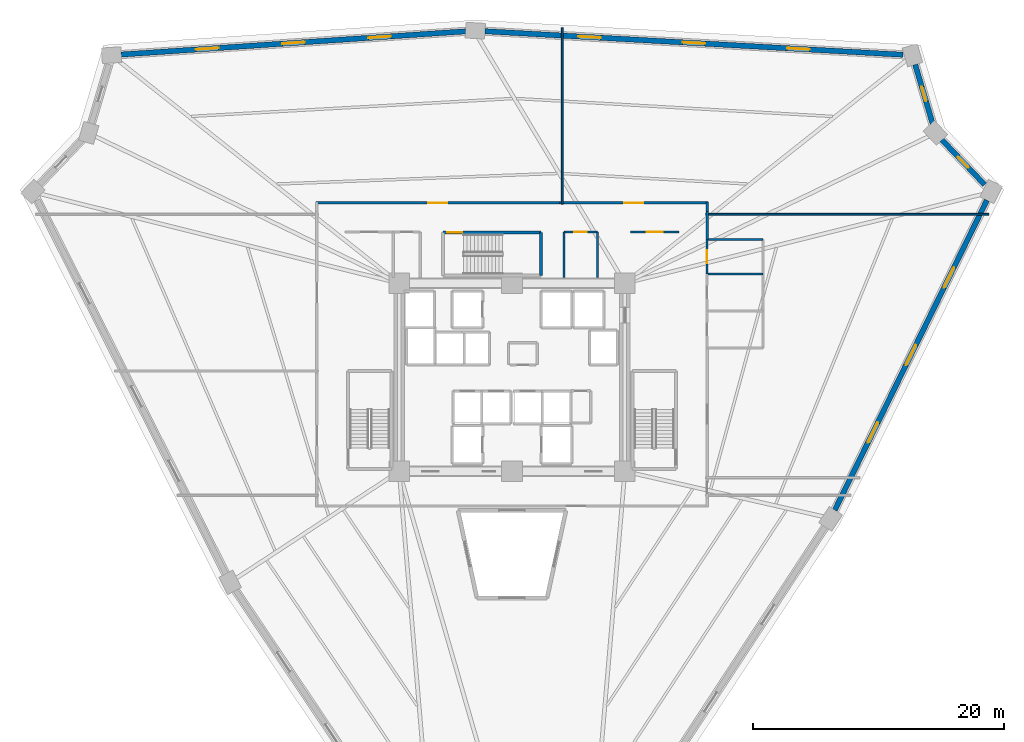
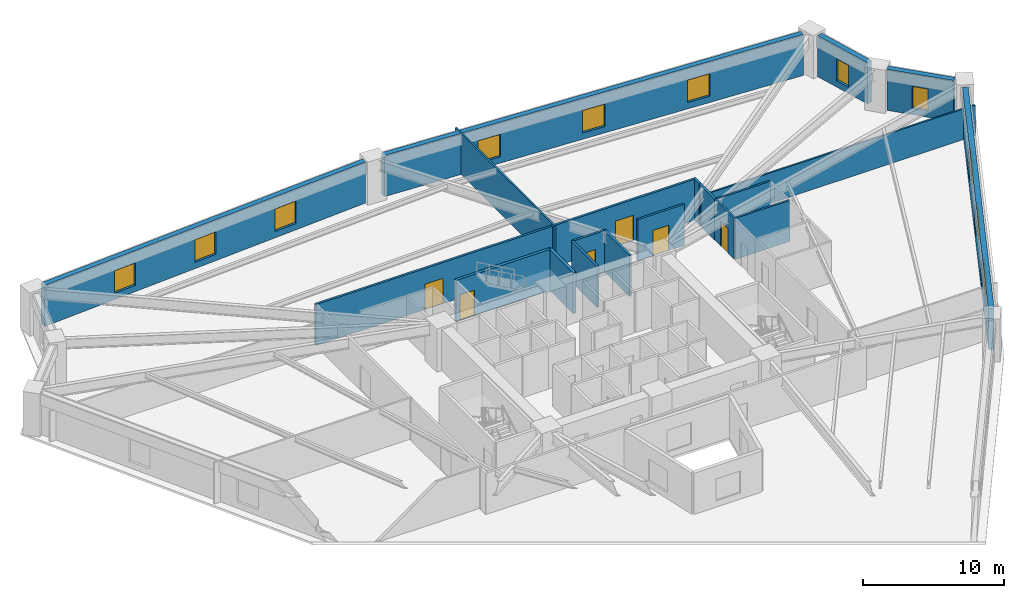
# One storey, part 6 of 8: 20 walls, 11 windows, 6 doors, 17 openings.
"""IFC4 building model written with IfcOpenShell, lengths in metres."""

from ifc_helpers import new_model, si_unit, direction, frame, frame_2d, origin, place, context, subcontext, project, spatial, rectangle, extrude, source, transform, mapped, material, layer, layer_set, type_object, element, fill, save


model = new_model("IFC4")

# Units and contexts
model_context = context("Model", 3, precision=1e-05, world=origin(), true_north=direction((0.0, 1.0)))
body_context = subcontext(model_context, "Body", "Model", "MODEL_VIEW")
ifc_project = project(units=[si_unit("LENGTHUNIT", "METRE"), si_unit("AREAUNIT", "SQUARE_METRE"), si_unit("VOLUMEUNIT", "CUBIC_METRE"), si_unit("PLANEANGLEUNIT", "RADIAN"), si_unit("MASSUNIT", "GRAM", prefix="KILO")], contexts=[model_context])

# Site, building, storey
site_placement = place(None, origin())
site = spatial("IfcSite", under=ifc_project, at=site_placement, CompositionType="ELEMENT")
building_placement = place(site_placement, origin())
building = spatial("IfcBuilding", under=site, at=building_placement, Name="Liaohun Quay Tower", CompositionType="ELEMENT")
storey_placement = place(building_placement, frame((0.0, 0.0, 70.5)))
storey = spatial("IfcBuildingStorey", under=building, at=storey_placement, Name="L18", CompositionType="ELEMENT", Elevation=70.5)

# Wall, openings, windows
ifc_material_1 = material(Name="Precast concrete C50 insulated sandwich", Category="concrete")
ifc_layer_1 = layer(ifc_material_1, 0.419921875, Name="Precast concrete C50 insulated sandwich", Category="concrete")
ifc_layer_set_1 = layer_set([ifc_layer_1], Name="Precast concrete C50 insulated sandwich")
wall_type_1 = type_object("IfcWallType", Name="WAL-EXT-Z12", PredefinedType="SOLIDWALL", material=ifc_layer_set_1)
wall_1_placement = place(storey_placement, frame((85.738037109375, 43.403076171875, 0.0), z_axis=(0.0, 0.0, 1.0), x_axis=(0.440623312768, 0.897692094343, 0.0)))
wall_1 = element("IfcWall", 1, at=wall_1_placement, inside=storey, type_object=wall_type_1, Name="L18 Brutalist Precast Pier Wall 03", PredefinedType="SOLIDWALL", context=body_context, shape_type="SweptSolid", body=[
    extrude(rectangle(XDim=27.538330078125, YDim=0.419921875, at=frame_2d((13.76904296875, 0.0))), origin(), (0.0, 0.0, 1.0), 3.570068359375),
])
shared_shape_1 = source(origin(), body_context, "Body", "SweptSolid", [
    extrude(rectangle(XDim=1.800048828125, YDim=1.949951171875, at=frame_2d((0.89990234375, 0.97509765625))), frame((0.0, 0.219970703125, 0.0), z_axis=(0.0, -1.0, 0.0), x_axis=(1.0, 0.0, 0.0)), (0.0, 0.0, 1.0), 0.43994140625),
])
opening_1_placement = place(wall_1_placement, frame((5.985107421875, 0.0, 0.550048828125)))
opening_1 = element("IfcOpeningElement", 2, at=opening_1_placement, cuts=wall_1, Name="Opening W01", PredefinedType="OPENING", context=body_context, shape_type="MappedRepresentation", body=[
    mapped(shared_shape_1, transform((0.0, 0.0, 0.0), x_axis=(1.0, 0.0, 0.0), y_axis=(0.0, 1.0, 0.0), z_axis=(0.0, 0.0, 1.0), scale=1.0)),
])
opening_2_placement = place(wall_1_placement, frame((12.868896484375, 0.0, 0.550048828125)))
opening_2 = element("IfcOpeningElement", 3, at=opening_2_placement, cuts=wall_1, Name="Opening W01", PredefinedType="OPENING", context=body_context, shape_type="MappedRepresentation", body=[
    mapped(shared_shape_1, transform((0.0, 0.0, 0.0), x_axis=(1.0, 0.0, 0.0), y_axis=(0.0, 1.0, 0.0), z_axis=(0.0, 0.0, 1.0), scale=1.0)),
])
opening_3_placement = place(wall_1_placement, frame((19.75390625, 0.0, 0.550048828125)))
opening_3 = element("IfcOpeningElement", 4, at=opening_3_placement, cuts=wall_1, Name="Opening W01", PredefinedType="OPENING", context=body_context, shape_type="MappedRepresentation", body=[
    mapped(shared_shape_1, transform((0.0, 0.0, 0.0), x_axis=(1.0, 0.0, 0.0), y_axis=(0.0, 1.0, 0.0), z_axis=(0.0, 0.0, 1.0), scale=1.0)),
])
ifc_material_2 = material(Name="Triple Low-E argon glazing in thermally broken aluminium", Category="aluminium")
window_type_1 = type_object("IfcWindowType", Name="WIN-PUN-Z1", PartitioningType="DOUBLE_PANEL_VERTICAL", PredefinedType="WINDOW", material=ifc_material_2)
shared_shape_2 = source(origin(), body_context, "Body", "SweptSolid", [
    extrude(rectangle(XDim=1.800048828125, YDim=1.949951171875, at=frame_2d((0.89990234375, 0.97509765625))), frame((0.0, 0.030029296875, 0.0), z_axis=(0.0, -1.0, 0.0), x_axis=(1.0, 0.0, 0.0)), (0.0, 0.0, 1.0), 0.06005859375),
])
window_1_placement = place(opening_1_placement, origin())
window_1 = element("IfcWindow", 5, at=window_1_placement, inside=storey, type_object=window_type_1, Name="L18 Recessed Cold-Climate Punched Window 03-1", OverallHeight=1.949951171875, OverallWidth=1.800048828125, PartitioningType="DOUBLE_PANEL_VERTICAL", PredefinedType="WINDOW", context=body_context, shape_type="MappedRepresentation", body=[
    mapped(shared_shape_2, transform((0.0, 0.0, 0.0), x_axis=(1.0, 0.0, 0.0), y_axis=(0.0, 1.0, 0.0), z_axis=(0.0, 0.0, 1.0), scale=1.0)),
])
fill(opening_1, window_1)
window_2_placement = place(opening_2_placement, origin())
window_2 = element("IfcWindow", 6, at=window_2_placement, inside=storey, type_object=window_type_1, Name="L18 Recessed Cold-Climate Punched Window 03-2", OverallHeight=1.949951171875, OverallWidth=1.800048828125, PartitioningType="DOUBLE_PANEL_VERTICAL", PredefinedType="WINDOW", context=body_context, shape_type="MappedRepresentation", body=[
    mapped(shared_shape_2, transform((0.0, 0.0, 0.0), x_axis=(1.0, 0.0, 0.0), y_axis=(0.0, 1.0, 0.0), z_axis=(0.0, 0.0, 1.0), scale=1.0)),
])
fill(opening_2, window_2)
window_3_placement = place(opening_3_placement, origin())
window_3 = element("IfcWindow", 7, at=window_3_placement, inside=storey, type_object=window_type_1, Name="L18 Recessed Cold-Climate Punched Window 03-3", OverallHeight=1.949951171875, OverallWidth=1.800048828125, PartitioningType="DOUBLE_PANEL_VERTICAL", PredefinedType="WINDOW", context=body_context, shape_type="MappedRepresentation", body=[
    mapped(shared_shape_2, transform((0.0, 0.0, 0.0), x_axis=(1.0, 0.0, 0.0), y_axis=(0.0, 1.0, 0.0), z_axis=(0.0, 0.0, 1.0), scale=1.0)),
])
fill(opening_3, window_3)

# Wall, opening, window
wall_2_placement = place(storey_placement, frame((97.681884765625, 69.364990234375, 0.0), z_axis=(0.0, 0.0, 1.0), x_axis=(-0.689227085511, 0.724545391675, 0.0)))
wall_2 = element("IfcWall", 8, at=wall_2_placement, inside=storey, type_object=wall_type_1, Name="L18 Brutalist Precast Pier Wall 04", PredefinedType="SOLIDWALL", context=body_context, shape_type="SweptSolid", body=[
    extrude(rectangle(XDim=4.9287109375, YDim=0.419921875, at=frame_2d((2.46435546875, 0.0))), origin(), (0.0, 0.0, 1.0), 3.570068359375),
])
shared_shape_3 = source(origin(), body_context, "Body", "SweptSolid", [
    extrude(rectangle(XDim=1.199951171875, YDim=1.89990234375, at=frame_2d((0.60009765625, 0.949951171875))), frame((0.0, 0.219970703125, 0.0), z_axis=(0.0, -1.0, 0.0), x_axis=(1.0, 0.0, 0.0)), (0.0, 0.0, 1.0), 0.43994140625),
])
opening_4_placement = place(wall_2_placement, frame((1.864013671875, 0.0, 0.550048828125)))
opening_4 = element("IfcOpeningElement", 9, at=opening_4_placement, cuts=wall_2, Name="Opening W05", PredefinedType="OPENING", context=body_context, shape_type="MappedRepresentation", body=[
    mapped(shared_shape_3, transform((0.0, 0.0, 0.0), x_axis=(1.0, 0.0, 0.0), y_axis=(0.0, 1.0, 0.0), z_axis=(0.0, 0.0, 1.0), scale=1.0)),
])
ifc_material_3 = material(Name="Triple Low-E corner notch glazing", Category="glass")
window_type_2 = type_object("IfcWindowType", Name="WIN-NOTCH", PartitioningType="SINGLE_PANEL", PredefinedType="WINDOW", material=ifc_material_3)
shared_shape_4 = source(origin(), body_context, "Body", "SweptSolid", [
    extrude(rectangle(XDim=1.199951171875, YDim=1.89990234375, at=frame_2d((0.60009765625, 0.949951171875))), frame((0.0, 0.030029296875, 0.0), z_axis=(0.0, -1.0, 0.0), x_axis=(1.0, 0.0, 0.0)), (0.0, 0.0, 1.0), 0.06005859375),
])
window_4_placement = place(opening_4_placement, origin())
window_4 = element("IfcWindow", 10, at=window_4_placement, inside=storey, type_object=window_type_2, Name="L18 Corner Notch Window W05-04", OverallHeight=1.89990234375, OverallWidth=1.199951171875, PartitioningType="SINGLE_PANEL", PredefinedType="WINDOW", context=body_context, shape_type="MappedRepresentation", body=[
    mapped(shared_shape_4, transform((0.0, 0.0, 0.0), x_axis=(1.0, 0.0, 0.0), y_axis=(0.0, 1.0, 0.0), z_axis=(0.0, 0.0, 1.0), scale=1.0)),
])
fill(opening_4, window_4)

wall_3_placement = place(storey_placement, frame((93.5419921875, 74.22412109375, 0.0), z_axis=(0.0, 0.0, 1.0), x_axis=(-0.282888780921, 0.959152718616, 0.0)))
wall_3 = element("IfcWall", 11, at=wall_3_placement, inside=storey, type_object=wall_type_1, Name="L18 Brutalist Precast Pier Wall 05", PredefinedType="SOLIDWALL", context=body_context, shape_type="SweptSolid", body=[
    extrude(rectangle(XDim=4.9208984375, YDim=0.419921875, at=frame_2d((2.46044921875, 0.0))), origin(), (0.0, 0.0, 1.0), 3.570068359375),
])
opening_5_placement = place(wall_3_placement, frame((1.860107421875, 0.0, 0.550048828125)))
opening_5 = element("IfcOpeningElement", 12, at=opening_5_placement, cuts=wall_3, Name="Opening W05", PredefinedType="OPENING", context=body_context, shape_type="MappedRepresentation", body=[
    mapped(shared_shape_3, transform((0.0, 0.0, 0.0), x_axis=(1.0, 0.0, 0.0), y_axis=(0.0, 1.0, 0.0), z_axis=(0.0, 0.0, 1.0), scale=1.0)),
])
window_5_placement = place(opening_5_placement, origin())
window_5 = element("IfcWindow", 13, at=window_5_placement, inside=storey, type_object=window_type_2, Name="L18 Corner Notch Window W05-05", OverallHeight=1.89990234375, OverallWidth=1.199951171875, PartitioningType="SINGLE_PANEL", PredefinedType="WINDOW", context=body_context, shape_type="MappedRepresentation", body=[
    mapped(shared_shape_4, transform((0.0, 0.0, 0.0), x_axis=(1.0, 0.0, 0.0), y_axis=(0.0, 1.0, 0.0), z_axis=(0.0, 0.0, 1.0), scale=1.0)),
])
fill(opening_5, window_5)

# Wall, openings, windows
wall_4_placement = place(storey_placement, frame((91.169921875, 79.720947265625, 0.0), z_axis=(0.0, 0.0, 1.0), x_axis=(-0.998420041746, 0.056190926675, 0.0)))
wall_4 = element("IfcWall", 14, at=wall_4_placement, inside=storey, type_object=wall_type_1, Name="L18 Brutalist Precast Pier Wall 06", PredefinedType="SOLIDWALL", context=body_context, shape_type="SweptSolid", body=[
    extrude(rectangle(XDim=33.3857421875, YDim=0.419921875, at=frame_2d((16.69287109375, 0.0))), origin(), (0.0, 0.0, 1.0), 3.570068359375),
])
opening_6_placement = place(wall_4_placement, frame((7.446044921875, 0.0, 0.550048828125)))
opening_6 = element("IfcOpeningElement", 15, at=opening_6_placement, cuts=wall_4, Name="Opening W01", PredefinedType="OPENING", context=body_context, shape_type="MappedRepresentation", body=[
    mapped(shared_shape_1, transform((0.0, 0.0, 0.0), x_axis=(1.0, 0.0, 0.0), y_axis=(0.0, 1.0, 0.0), z_axis=(0.0, 0.0, 1.0), scale=1.0)),
])
opening_7_placement = place(wall_4_placement, frame((15.79296875, 0.0, 0.550048828125)))
opening_7 = element("IfcOpeningElement", 16, at=opening_7_placement, cuts=wall_4, Name="Opening W01", PredefinedType="OPENING", context=body_context, shape_type="MappedRepresentation", body=[
    mapped(shared_shape_1, transform((0.0, 0.0, 0.0), x_axis=(1.0, 0.0, 0.0), y_axis=(0.0, 1.0, 0.0), z_axis=(0.0, 0.0, 1.0), scale=1.0)),
])
opening_8_placement = place(wall_4_placement, frame((24.138916015625, 0.0, 0.550048828125)))
opening_8 = element("IfcOpeningElement", 17, at=opening_8_placement, cuts=wall_4, Name="Opening W01", PredefinedType="OPENING", context=body_context, shape_type="MappedRepresentation", body=[
    mapped(shared_shape_1, transform((0.0, 0.0, 0.0), x_axis=(1.0, 0.0, 0.0), y_axis=(0.0, 1.0, 0.0), z_axis=(0.0, 0.0, 1.0), scale=1.0)),
])
window_6_placement = place(opening_6_placement, origin())
window_6 = element("IfcWindow", 18, at=window_6_placement, inside=storey, type_object=window_type_1, Name="L18 Recessed Cold-Climate Punched Window 06-1", OverallHeight=1.949951171875, OverallWidth=1.800048828125, PartitioningType="DOUBLE_PANEL_VERTICAL", PredefinedType="WINDOW", context=body_context, shape_type="MappedRepresentation", body=[
    mapped(shared_shape_2, transform((0.0, 0.0, 0.0), x_axis=(1.0, 0.0, 0.0), y_axis=(0.0, 1.0, 0.0), z_axis=(0.0, 0.0, 1.0), scale=1.0)),
])
fill(opening_6, window_6)
window_7_placement = place(opening_7_placement, origin())
window_7 = element("IfcWindow", 19, at=window_7_placement, inside=storey, type_object=window_type_1, Name="L18 Recessed Cold-Climate Punched Window 06-2", OverallHeight=1.949951171875, OverallWidth=1.800048828125, PartitioningType="DOUBLE_PANEL_VERTICAL", PredefinedType="WINDOW", context=body_context, shape_type="MappedRepresentation", body=[
    mapped(shared_shape_2, transform((0.0, 0.0, 0.0), x_axis=(1.0, 0.0, 0.0), y_axis=(0.0, 1.0, 0.0), z_axis=(0.0, 0.0, 1.0), scale=1.0)),
])
fill(opening_7, window_7)
window_8_placement = place(opening_8_placement, origin())
window_8 = element("IfcWindow", 20, at=window_8_placement, inside=storey, type_object=window_type_1, Name="L18 Recessed Cold-Climate Punched Window 06-3", OverallHeight=1.949951171875, OverallWidth=1.800048828125, PartitioningType="DOUBLE_PANEL_VERTICAL", PredefinedType="WINDOW", context=body_context, shape_type="MappedRepresentation", body=[
    mapped(shared_shape_2, transform((0.0, 0.0, 0.0), x_axis=(1.0, 0.0, 0.0), y_axis=(0.0, 1.0, 0.0), z_axis=(0.0, 0.0, 1.0), scale=1.0)),
])
fill(opening_8, window_8)

wall_5_placement = place(storey_placement, frame((56.31005859375, 81.589111328125, 0.0), z_axis=(0.0, 0.0, 1.0), x_axis=(-0.997734032959, -0.067281494306, 0.0)))
wall_5 = element("IfcWall", 21, at=wall_5_placement, inside=storey, type_object=wall_type_1, Name="L18 Brutalist Precast Pier Wall 07", PredefinedType="SOLIDWALL", context=body_context, shape_type="SweptSolid", body=[
    extrude(rectangle(XDim=27.54150390625, YDim=0.419921875, at=frame_2d((13.770751953125, 0.0))), origin(), (0.0, 0.0, 1.0), 3.570068359375),
])
opening_9_placement = place(wall_5_placement, frame((5.985107421875, 0.0, 0.550048828125)))
opening_9 = element("IfcOpeningElement", 22, at=opening_9_placement, cuts=wall_5, Name="Opening W01", PredefinedType="OPENING", context=body_context, shape_type="MappedRepresentation", body=[
    mapped(shared_shape_1, transform((0.0, 0.0, 0.0), x_axis=(1.0, 0.0, 0.0), y_axis=(0.0, 1.0, 0.0), z_axis=(0.0, 0.0, 1.0), scale=1.0)),
])
opening_10_placement = place(wall_5_placement, frame((12.87109375, 0.0, 0.550048828125)))
opening_10 = element("IfcOpeningElement", 23, at=opening_10_placement, cuts=wall_5, Name="Opening W01", PredefinedType="OPENING", context=body_context, shape_type="MappedRepresentation", body=[
    mapped(shared_shape_1, transform((0.0, 0.0, 0.0), x_axis=(1.0, 0.0, 0.0), y_axis=(0.0, 1.0, 0.0), z_axis=(0.0, 0.0, 1.0), scale=1.0)),
])
opening_11_placement = place(wall_5_placement, frame((19.756103515625, 0.0, 0.550048828125)))
opening_11 = element("IfcOpeningElement", 24, at=opening_11_placement, cuts=wall_5, Name="Opening W01", PredefinedType="OPENING", context=body_context, shape_type="MappedRepresentation", body=[
    mapped(shared_shape_1, transform((0.0, 0.0, 0.0), x_axis=(1.0, 0.0, 0.0), y_axis=(0.0, 1.0, 0.0), z_axis=(0.0, 0.0, 1.0), scale=1.0)),
])
window_9_placement = place(opening_9_placement, origin())
window_9 = element("IfcWindow", 25, at=window_9_placement, inside=storey, type_object=window_type_1, Name="L18 Recessed Cold-Climate Punched Window 07-1", OverallHeight=1.949951171875, OverallWidth=1.800048828125, PartitioningType="DOUBLE_PANEL_VERTICAL", PredefinedType="WINDOW", context=body_context, shape_type="MappedRepresentation", body=[
    mapped(shared_shape_2, transform((0.0, 0.0, 0.0), x_axis=(1.0, 0.0, 0.0), y_axis=(0.0, 1.0, 0.0), z_axis=(0.0, 0.0, 1.0), scale=1.0)),
])
fill(opening_9, window_9)
window_10_placement = place(opening_10_placement, origin())
window_10 = element("IfcWindow", 26, at=window_10_placement, inside=storey, type_object=window_type_1, Name="L18 Recessed Cold-Climate Punched Window 07-2", OverallHeight=1.949951171875, OverallWidth=1.800048828125, PartitioningType="DOUBLE_PANEL_VERTICAL", PredefinedType="WINDOW", context=body_context, shape_type="MappedRepresentation", body=[
    mapped(shared_shape_2, transform((0.0, 0.0, 0.0), x_axis=(1.0, 0.0, 0.0), y_axis=(0.0, 1.0, 0.0), z_axis=(0.0, 0.0, 1.0), scale=1.0)),
])
fill(opening_10, window_10)
window_11_placement = place(opening_11_placement, origin())
window_11 = element("IfcWindow", 27, at=window_11_placement, inside=storey, type_object=window_type_1, Name="L18 Recessed Cold-Climate Punched Window 07-3", OverallHeight=1.949951171875, OverallWidth=1.800048828125, PartitioningType="DOUBLE_PANEL_VERTICAL", PredefinedType="WINDOW", context=body_context, shape_type="MappedRepresentation", body=[
    mapped(shared_shape_2, transform((0.0, 0.0, 0.0), x_axis=(1.0, 0.0, 0.0), y_axis=(0.0, 1.0, 0.0), z_axis=(0.0, 0.0, 1.0), scale=1.0)),
])
fill(opening_11, window_11)

# Wall, opening, door
ifc_material_4 = material(Name="Autoclaved aerated concrete blockwork", Category="masonry")
ifc_layer_2 = layer(ifc_material_4, 0.179931640625, Name="Autoclaved aerated concrete blockwork", Category="masonry")
ifc_layer_set_2 = layer_set([ifc_layer_2], Name="Autoclaved aerated concrete blockwork")
wall_type_2 = type_object("IfcWallType", Name="WAL-PRT-COR", PredefinedType="PARTITIONING", material=ifc_layer_set_2)
wall_6_placement = place(storey_placement, frame((64.139892578125, 65.580078125, 0.0), z_axis=(0.0, 0.0, 1.0), x_axis=(1.0, 0.0, 0.0)))
wall_6 = element("IfcWall", 28, at=wall_6_placement, inside=storey, type_object=wall_type_2, Name="L18 Interior Partition Wall 007", PredefinedType="PARTITIONING", context=body_context, shape_type="SweptSolid", body=[
    extrude(rectangle(XDim=2.670166015625, YDim=0.179931640625, at=frame_2d((1.3349609375, 0.0))), origin(), (0.0, 0.0, 1.0), 3.570068359375),
])
shared_shape_5 = source(origin(), body_context, "Body", "SweptSolid", [
    extrude(rectangle(XDim=1.0, YDim=2.199951171875, at=frame_2d((0.5, 1.10009765625))), frame((0.0, 0.099853515625, 0.0), z_axis=(0.0, -1.0, 0.0), x_axis=(1.0, 0.0, 0.0)), (0.0, 0.0, 1.0), 0.199951171875),
])
opening_12_placement = place(wall_6_placement, frame((0.8349609375, 0.0, 0.0)))
opening_12 = element("IfcOpeningElement", 29, at=opening_12_placement, cuts=wall_6, Name="Opening OD1", PredefinedType="OPENING", context=body_context, shape_type="MappedRepresentation", body=[
    mapped(shared_shape_5, transform((0.0, 0.0, 0.0), x_axis=(1.0, 0.0, 0.0), y_axis=(0.0, 1.0, 0.0), z_axis=(0.0, 0.0, 1.0), scale=1.0)),
])
ifc_material_5 = material(Name="Solid-core oak veneer timber leaf in steel frame", Category="steel")
door_type_1 = type_object("IfcDoorType", Name="DOR-OFF-1000", OperationType="NOTDEFINED", PredefinedType="DOOR", material=ifc_material_5)
shared_shape_6 = source(origin(), body_context, "Body", "SweptSolid", [
    extrude(rectangle(XDim=1.0, YDim=2.199951171875, at=frame_2d((0.5, 1.10009765625))), frame((0.0, 0.02490234375, 0.0), z_axis=(0.0, -1.0, 0.0), x_axis=(1.0, 0.0, 0.0)), (0.0, 0.0, 1.0), 0.050048828125),
])
door_1_placement = place(opening_12_placement, origin())
door_1 = element("IfcDoor", 30, at=door_1_placement, inside=storey, type_object=door_type_1, Name="L18 North-East Server Closet Door", OperationType="SINGLE_SWING_LEFT", OverallHeight=2.199951171875, OverallWidth=1.0, PredefinedType="DOOR", context=body_context, shape_type="MappedRepresentation", body=[
    mapped(shared_shape_6, transform((0.0, 0.0, 0.0), x_axis=(1.0, 0.0, 0.0), y_axis=(0.0, 1.0, 0.0), z_axis=(0.0, 0.0, 1.0), scale=1.0)),
])
fill(opening_12, door_1)

wall_7_placement = place(storey_placement, frame((69.4599609375, 65.580078125, 0.0), z_axis=(0.0, 0.0, 1.0), x_axis=(1.0, 0.0, 0.0)))
wall_7 = element("IfcWall", 31, at=wall_7_placement, inside=storey, type_object=wall_type_2, Name="L18 Interior Partition Wall 009", PredefinedType="PARTITIONING", context=body_context, shape_type="SweptSolid", body=[
    extrude(rectangle(XDim=3.840087890625, YDim=0.179931640625, at=frame_2d((1.919921875, 0.0))), origin(), (0.0, 0.0, 1.0), 3.570068359375),
])
shared_shape_7 = source(origin(), body_context, "Body", "SweptSolid", [
    extrude(rectangle(XDim=1.300048828125, YDim=2.199951171875, at=frame_2d((0.64990234375, 1.10009765625))), frame((0.0, 0.099853515625, 0.0), z_axis=(0.0, -1.0, 0.0), x_axis=(1.0, 0.0, 0.0)), (0.0, 0.0, 1.0), 0.199951171875),
])
opening_13_placement = place(wall_7_placement, frame((1.27001953125, 0.0, 0.0)))
opening_13 = element("IfcOpeningElement", 32, at=opening_13_placement, cuts=wall_7, Name="Opening FD1", PredefinedType="OPENING", context=body_context, shape_type="MappedRepresentation", body=[
    mapped(shared_shape_7, transform((0.0, 0.0, 0.0), x_axis=(1.0, 0.0, 0.0), y_axis=(0.0, 1.0, 0.0), z_axis=(0.0, 0.0, 1.0), scale=1.0)),
])
ifc_material_6 = material(Name="Galvanised steel smokeproof fire door", Category="steel")
door_type_2 = type_object("IfcDoorType", Name="DOR-FFL-1300", OperationType="NOTDEFINED", PredefinedType="DOOR", material=ifc_material_6)
shared_shape_8 = source(origin(), body_context, "Body", "SweptSolid", [
    extrude(rectangle(XDim=1.300048828125, YDim=2.199951171875, at=frame_2d((0.64990234375, 1.10009765625))), frame((0.0, 0.02490234375, 0.0), z_axis=(0.0, -1.0, 0.0), x_axis=(1.0, 0.0, 0.0)), (0.0, 0.0, 1.0), 0.050048828125),
])
door_2_placement = place(opening_13_placement, origin())
door_2 = element("IfcDoor", 33, at=door_2_placement, inside=storey, type_object=door_type_2, Name="L18 East Core Vestibule Door", OperationType="SINGLE_SWING_LEFT", OverallHeight=2.199951171875, OverallWidth=1.300048828125, PredefinedType="DOOR", context=body_context, shape_type="MappedRepresentation", body=[
    mapped(shared_shape_8, transform((0.0, 0.0, 0.0), x_axis=(1.0, 0.0, 0.0), y_axis=(0.0, 1.0, 0.0), z_axis=(0.0, 0.0, 1.0), scale=1.0)),
])
fill(opening_13, door_2)

wall_8_placement = place(storey_placement, frame((63.784912109375, 67.909912109375, 0.0), z_axis=(0.0, 0.0, 1.0), x_axis=(1.0, 0.0, 0.0)))
wall_8 = element("IfcWall", 34, at=wall_8_placement, inside=storey, type_object=wall_type_2, Name="L18 Interior Partition Wall 011", PredefinedType="PARTITIONING", context=body_context, shape_type="SweptSolid", body=[
    extrude(rectangle(XDim=11.844970703125, YDim=0.179931640625, at=frame_2d((5.92236328125, 0.0))), origin(), (0.0, 0.0, 1.0), 3.570068359375),
])
shared_shape_9 = source(origin(), body_context, "Body", "SweptSolid", [
    extrude(rectangle(XDim=1.5, YDim=2.199951171875, at=frame_2d((0.75, 1.10009765625))), frame((0.0, 0.099853515625, 0.0), z_axis=(0.0, -1.0, 0.0), x_axis=(1.0, 0.0, 0.0)), (0.0, 0.0, 1.0), 0.199951171875),
])
opening_14_placement = place(wall_8_placement, frame((5.172119140625, 0.0, 0.0)))
opening_14 = element("IfcOpeningElement", 35, at=opening_14_placement, cuts=wall_8, Name="Opening OD2", PredefinedType="OPENING", context=body_context, shape_type="MappedRepresentation", body=[
    mapped(shared_shape_9, transform((0.0, 0.0, 0.0), x_axis=(1.0, 0.0, 0.0), y_axis=(0.0, 1.0, 0.0), z_axis=(0.0, 0.0, 1.0), scale=1.0)),
])
ifc_material_7 = material(Name="Acoustic oak veneer double door")
door_type_3 = type_object("IfcDoorType", Name="DOR-OFF-1500", OperationType="DOUBLE_DOOR_SINGLE_SWING", PredefinedType="DOOR", material=ifc_material_7)
shared_shape_10 = source(origin(), body_context, "Body", "SweptSolid", [
    extrude(rectangle(XDim=1.5, YDim=2.199951171875, at=frame_2d((0.75, 1.10009765625))), frame((0.0, 0.02490234375, 0.0), z_axis=(0.0, -1.0, 0.0), x_axis=(1.0, 0.0, 0.0)), (0.0, 0.0, 1.0), 0.050048828125),
])
door_3_placement = place(opening_14_placement, origin())
door_3 = element("IfcDoor", 36, at=door_3_placement, inside=storey, type_object=door_type_3, Name="L18 Engineering Model Workshop 02 Door", OperationType="DOUBLE_DOOR_SINGLE_SWING", OverallHeight=2.199951171875, OverallWidth=1.5, PredefinedType="DOOR", context=body_context, shape_type="MappedRepresentation", body=[
    mapped(shared_shape_10, transform((0.0, 0.0, 0.0), x_axis=(1.0, 0.0, 0.0), y_axis=(0.0, 1.0, 0.0), z_axis=(0.0, 0.0, 1.0), scale=1.0)),
])
fill(opening_14, door_3)

wall_9_placement = place(storey_placement, frame((44.3701171875, 67.909912109375, 0.0), z_axis=(0.0, 0.0, 1.0), x_axis=(1.0, 0.0, 0.0)))
wall_9 = element("IfcWall", 37, at=wall_9_placement, inside=storey, type_object=wall_type_2, Name="L18 Interior Partition Wall 012", PredefinedType="PARTITIONING", context=body_context, shape_type="SweptSolid", body=[
    extrude(rectangle(XDim=19.414794921875, YDim=0.179931640625, at=frame_2d((9.70751953125, 0.0))), origin(), (0.0, 0.0, 1.0), 3.570068359375),
])
opening_15_placement = place(wall_9_placement, frame((8.95703125, 0.0, 0.0)))
opening_15 = element("IfcOpeningElement", 38, at=opening_15_placement, cuts=wall_9, Name="Opening OD2", PredefinedType="OPENING", context=body_context, shape_type="MappedRepresentation", body=[
    mapped(shared_shape_9, transform((0.0, 0.0, 0.0), x_axis=(1.0, 0.0, 0.0), y_axis=(0.0, 1.0, 0.0), z_axis=(0.0, 0.0, 1.0), scale=1.0)),
])
door_4_placement = place(opening_15_placement, origin())
door_4 = element("IfcDoor", 39, at=door_4_placement, inside=storey, type_object=door_type_3, Name="L18 Architectural Design Studio 03 Door", OperationType="DOUBLE_DOOR_SINGLE_SWING", OverallHeight=2.199951171875, OverallWidth=1.5, PredefinedType="DOOR", context=body_context, shape_type="MappedRepresentation", body=[
    mapped(shared_shape_10, transform((0.0, 0.0, 0.0), x_axis=(1.0, 0.0, 0.0), y_axis=(0.0, 1.0, 0.0), z_axis=(0.0, 0.0, 1.0), scale=1.0)),
])
fill(opening_15, door_4)

# Walls
for number, where, z_axis, x_axis, name in (
    (40, (64.139892578125, 61.949951171875, 0.0), (0.0, 0.0, 1.0), (0.0, 1.0, 0.0), "L18 Interior Partition Wall 029"),
    (41, (66.81005859375, 61.949951171875, 0.0), (0.0, 0.0, 1.0), (0.0, 1.0, 0.0), "L18 Interior Partition Wall 030"),
):
    element("IfcWall", number, at=place(storey_placement, frame(where, z_axis=z_axis, x_axis=x_axis)), inside=storey, type_object=wall_type_2, Name=name, PredefinedType="PARTITIONING", context=body_context, shape_type="SweptSolid", body=[
        extrude(rectangle(XDim=3.630126953125, YDim=0.179931640625, at=frame_2d((1.81494140625, 0.0))), origin(), (0.0, 0.0, 1.0), 3.570068359375),
    ])
wall_10_placement = place(storey_placement, frame((75.56005859375, 67.215087890625, 0.0), z_axis=(0.0, 0.0, 1.0), x_axis=(0.0, -1.0, 0.0)))
element("IfcWall", 42, at=wall_10_placement, inside=storey, type_object=wall_type_2, Name="L18 Interior Partition Wall 031", PredefinedType="PARTITIONING", context=body_context, shape_type="SweptSolid", body=[
    extrude(rectangle(XDim=2.235107421875, YDim=0.179931640625, at=frame_2d((1.11767578125, 0.0))), origin(), (0.0, 0.0, 1.0), 3.570068359375),
])
wall_11_placement = place(storey_placement, frame((75.56005859375, 67.97998046875, 0.0), z_axis=(0.0, 0.0, 1.0), x_axis=(0.0, -1.0, 0.0)))
element("IfcWall", 43, at=wall_11_placement, inside=storey, type_object=wall_type_2, Name="L18 Interior Partition Wall 032", PredefinedType="PARTITIONING", context=body_context, shape_type="SweptSolid", body=[
    extrude(rectangle(XDim=0.764892578125, YDim=0.179931640625, at=frame_2d((0.38232421875, 0.0))), origin(), (0.0, 0.0, 1.0), 3.570068359375),
])
ifc_material_8 = material(Name="Gypsum board on twin steel studs", Category="steel")
ifc_layer_3 = layer(ifc_material_8, 0.139892578125, Name="Gypsum board on twin steel studs", Category="steel")
ifc_layer_set_3 = layer_set([ifc_layer_3], Name="Gypsum board on twin steel studs")
wall_type_3 = type_object("IfcWallType", Name="WAL-PRT-OFF", PredefinedType="PARTITIONING", material=ifc_layer_set_3)
wall_12_placement = place(storey_placement, frame((75.4599609375, 67.0, 0.0), z_axis=(0.0, 0.0, 1.0), x_axis=(1.0, 0.0, 0.0)))
element("IfcWall", 44, at=wall_12_placement, inside=storey, type_object=wall_type_3, Name="L18 Interior Partition Wall 041", PredefinedType="PARTITIONING", context=body_context, shape_type="SweptSolid", body=[
    extrude(rectangle(XDim=22.56201171875, YDim=0.139892578125, at=frame_2d((11.281005859375, 0.0))), origin(), (0.0, 0.0, 1.0), 2.655029296875),
])
wall_13_placement = place(storey_placement, frame((64.0, 67.81005859375, 0.0), z_axis=(0.0, 0.0, 1.0), x_axis=(0.0, 1.0, 0.0)))
element("IfcWall", 45, at=wall_13_placement, inside=storey, type_object=wall_type_3, Name="L18 Interior Partition Wall 042", PredefinedType="PARTITIONING", context=body_context, shape_type="SweptSolid", body=[
    extrude(rectangle(XDim=14.071044921875, YDim=0.139892578125, at=frame_2d((7.03564453125, 0.0))), origin(), (0.0, 0.0, 1.0), 3.570068359375),
])

# Wall, opening, door
ifc_material_9 = material(Name="Moisture-resistant masonry blockwork", Category="masonry")
ifc_layer_4 = layer(ifc_material_9, 0.159912109375, Name="Moisture-resistant masonry blockwork", Category="masonry")
ifc_layer_set_4 = layer_set([ifc_layer_4], Name="Moisture-resistant masonry blockwork")
wall_type_4 = type_object("IfcWallType", Name="WAL-PRT-WET", PredefinedType="PARTITIONING", material=ifc_layer_set_4)
wall_14_placement = place(storey_placement, frame((75.56005859375, 62.239990234375, 0.0), z_axis=(0.0, 0.0, 1.0), x_axis=(0.0, 1.0, 0.0)))
wall_14 = element("IfcWall", 46, at=wall_14_placement, inside=storey, type_object=wall_type_4, Name="L18 Interior Partition Wall 005", PredefinedType="PARTITIONING", context=body_context, shape_type="SweptSolid", body=[
    extrude(rectangle(XDim=2.739990234375, YDim=0.159912109375, at=frame_2d((1.3701171875, 0.0))), origin(), (0.0, 0.0, 1.0), 3.570068359375),
])
shared_shape_11 = source(origin(), body_context, "Body", "SweptSolid", [
    extrude(rectangle(XDim=1.050048828125, YDim=2.14990234375, at=frame_2d((0.52490234375, 1.074951171875))), frame((0.0, 0.08984375, 0.0), z_axis=(0.0, -1.0, 0.0), x_axis=(1.0, 0.0, 0.0)), (0.0, 0.0, 1.0), 0.179931640625),
])
opening_16_placement = place(wall_14_placement, frame((0.844970703125, 0.0, 0.0)))
opening_16 = element("IfcOpeningElement", 47, at=opening_16_placement, cuts=wall_14, Name="Opening WD2", PredefinedType="OPENING", context=body_context, shape_type="MappedRepresentation", body=[
    mapped(shared_shape_11, transform((0.0, 0.0, 0.0), x_axis=(1.0, 0.0, 0.0), y_axis=(0.0, 1.0, 0.0), z_axis=(0.0, 0.0, 1.0), scale=1.0)),
])
ifc_material_10 = material(Name="Accessible outward-swinging laminate door")
door_type_4 = type_object("IfcDoorType", Name="DOR-AWC-1050", OperationType="NOTDEFINED", PredefinedType="DOOR", material=ifc_material_10)
shared_shape_12 = source(origin(), body_context, "Body", "SweptSolid", [
    extrude(rectangle(XDim=1.050048828125, YDim=2.14990234375, at=frame_2d((0.52490234375, 1.074951171875))), frame((0.0, 0.02490234375, 0.0), z_axis=(0.0, -1.0, 0.0), x_axis=(1.0, 0.0, 0.0)), (0.0, 0.0, 1.0), 0.050048828125),
])
door_5_placement = place(opening_16_placement, origin())
door_5 = element("IfcDoor", 48, at=door_5_placement, inside=storey, type_object=door_type_4, Name="L18 Accessible WC Door", OperationType="SINGLE_SWING_LEFT", OverallHeight=2.14990234375, OverallWidth=1.050048828125, PredefinedType="DOOR", context=body_context, shape_type="MappedRepresentation", body=[
    mapped(shared_shape_12, transform((0.0, 0.0, 0.0), x_axis=(1.0, 0.0, 0.0), y_axis=(0.0, 1.0, 0.0), z_axis=(0.0, 0.0, 1.0), scale=1.0)),
])
fill(opening_16, door_5)

# Walls
for number, where, z_axis, x_axis, name in (
    (49, (75.56005859375, 62.239990234375, 0.0), (0.0, 0.0, 1.0), (1.0, 0.0, 0.0), "L18 Interior Partition Wall 025"),
    (50, (75.56005859375, 64.97998046875, 0.0), (0.0, 0.0, 1.0), (1.0, 0.0, 0.0), "L18 Interior Partition Wall 026"),
):
    element("IfcWall", number, at=place(storey_placement, frame(where, z_axis=z_axis, x_axis=x_axis)), inside=storey, type_object=wall_type_4, Name=name, PredefinedType="PARTITIONING", context=body_context, shape_type="SweptSolid", body=[
        extrude(rectangle(XDim=4.4599609375, YDim=0.159912109375, at=frame_2d((2.22998046875, 0.0))), origin(), (0.0, 0.0, 1.0), 3.570068359375),
    ])
ifc_material_11 = material(Name="Concrete C50", Category="concrete")
ifc_layer_5 = layer(ifc_material_11, 0.239990234375, Name="Concrete C50", Category="concrete")
ifc_layer_set_5 = layer_set([ifc_layer_5], Name="Concrete C50")
wall_type_5 = type_object("IfcWallType", Name="WAL-SHF-200", PredefinedType="SOLIDWALL", material=ifc_layer_set_5)
wall_15_placement = place(storey_placement, frame((62.320068359375, 62.10009765625, 0.0), z_axis=(0.0, 0.0, 1.0), x_axis=(0.0, 1.0, 0.0)))
element("IfcWall", 51, at=wall_15_placement, inside=storey, type_object=wall_type_5, Name="L18 Stairwell ST-3 Structural Core Wall E", PredefinedType="SOLIDWALL", context=body_context, shape_type="SweptSolid", body=[
    extrude(rectangle(XDim=3.43994140625, YDim=0.239990234375, at=frame_2d((1.719970703125, 0.0))), origin(), (0.0, 0.0, 1.0), 3.570068359375),
])

# Wall, opening, door
wall_16_placement = place(storey_placement, frame((62.320068359375, 65.5400390625, 0.0), z_axis=(0.0, 0.0, 1.0), x_axis=(-1.0, 0.0, 0.0)))
wall_16 = element("IfcWall", 52, at=wall_16_placement, inside=storey, type_object=wall_type_5, Name="L18 Stairwell ST-3 Structural Core Wall N", PredefinedType="SOLIDWALL", context=body_context, shape_type="SweptSolid", body=[
    extrude(rectangle(XDim=7.820068359375, YDim=0.239990234375, at=frame_2d((3.91015625, 0.0))), origin(), (0.0, 0.0, 1.0), 3.570068359375),
])
shared_shape_13 = source(origin(), body_context, "Body", "SweptSolid", [
    extrude(rectangle(XDim=1.199951171875, YDim=2.199951171875, at=frame_2d((0.60009765625, 1.10009765625))), frame((0.0, 0.1298828125, 0.0), z_axis=(0.0, -1.0, 0.0), x_axis=(1.0, 0.0, 0.0)), (0.0, 0.0, 1.0), 0.260009765625),
])
opening_17_placement = place(wall_16_placement, frame((6.300048828125, 0.0, 0.0)))
opening_17 = element("IfcOpeningElement", 53, at=opening_17_placement, cuts=wall_16, Name="Opening SD1", PredefinedType="OPENING", context=body_context, shape_type="MappedRepresentation", body=[
    mapped(shared_shape_13, transform((0.0, 0.0, 0.0), x_axis=(1.0, 0.0, 0.0), y_axis=(0.0, 1.0, 0.0), z_axis=(0.0, 0.0, 1.0), scale=1.0)),
])
ifc_material_12 = material(Name="Galvanised steel fire door", Category="steel")
door_type_5 = type_object("IfcDoorType", Name="DOR-STR-1200", OperationType="NOTDEFINED", PredefinedType="DOOR", material=ifc_material_12)
shared_shape_14 = source(origin(), body_context, "Body", "SweptSolid", [
    extrude(rectangle(XDim=1.199951171875, YDim=2.199951171875, at=frame_2d((0.60009765625, 1.10009765625))), frame((0.0, 0.02490234375, 0.0), z_axis=(0.0, -1.0, 0.0), x_axis=(1.0, 0.0, 0.0)), (0.0, 0.0, 1.0), 0.050048828125),
])
door_6_placement = place(opening_17_placement, origin())
door_6 = element("IfcDoor", 54, at=door_6_placement, inside=storey, type_object=door_type_5, Name="L18 Protected Stair ST-3 Fire Door", OperationType="SINGLE_SWING_RIGHT", OverallHeight=2.199951171875, OverallWidth=1.199951171875, PredefinedType="DOOR", context=body_context, shape_type="MappedRepresentation", body=[
    mapped(shared_shape_14, transform((0.0, 0.0, 0.0), x_axis=(1.0, 0.0, 0.0), y_axis=(0.0, 1.0, 0.0), z_axis=(0.0, 0.0, 1.0), scale=1.0)),
])
fill(opening_17, door_6)

save(model, "model.ifc")
